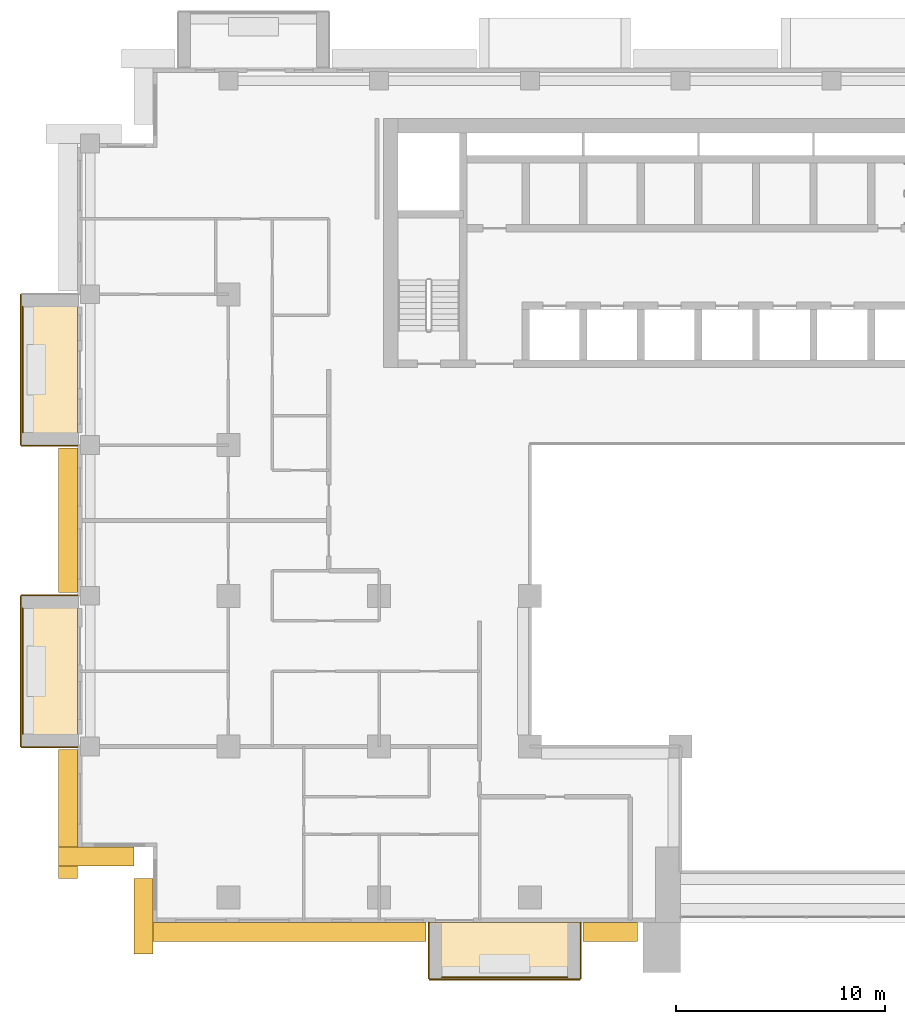
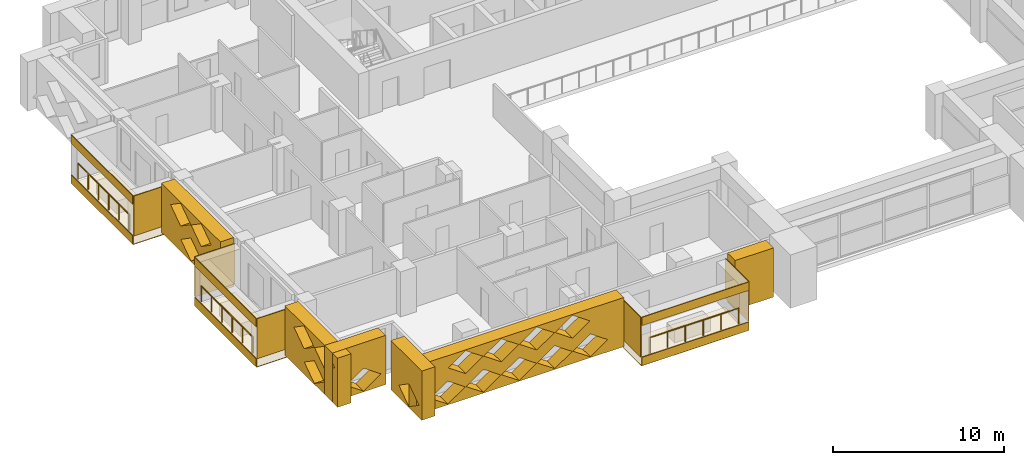
# One storey, part 14 of 20: 20 coverings, 3 railings.
"""IFC4 building model written with IfcOpenShell, lengths in metres."""

import ifcopenshell
import ifcopenshell.guid

model = None  # the IFC model being written
_history = None  # IfcOwnerHistory: only IFC2X3 demands one
_inside = {}  # id of a spatial element -> (the spatial element, [elements in it])
_under = {}  # id of a project, library or spatial element -> (it, [spatial elements below it])
_declared = {}  # id of a project -> (the project, [libraries it declares])
_typed = {}  # id of a type object -> (the type object, [elements of that type])
_made_of = {}  # id of a material, layer set ... -> (it, [elements and type objects made of it])


def new_model(schema):
    """Start an empty IFC model of exactly this schema.

    Asked for "IFC4X3", IfcOpenShell would pick the latest addendum, in which some entities
    have other attributes; the version numbers below select the first issue.
    IFC2X3 requires an IfcOwnerHistory on every rooted entity: one is made here for all.
    """
    global model, _history
    if schema == "IFC4X3":
        model = ifcopenshell.file(schema_version=(4, 3, 0, 0))
    else:
        model = ifcopenshell.file(schema=schema)
    _inside.clear()
    _under.clear()
    _declared.clear()
    _typed.clear()
    _made_of.clear()
    _history = None
    if model.schema == "IFC2X3":
        org = make("IfcOrganization", Name="unknown")
        user = make(
            "IfcPersonAndOrganization",
            ThePerson=make("IfcPerson", FamilyName="unknown"),
            TheOrganization=org,
        )
        app = make(
            "IfcApplication",
            ApplicationDeveloper=org,
            Version="unknown",
            ApplicationFullName="unknown",
            ApplicationIdentifier="unknown",
        )
        _history = make(
            "IfcOwnerHistory",
            OwningUser=user,
            OwningApplication=app,
            ChangeAction="ADDED",
            CreationDate=0,
        )
    return model


def make(cls, **values):
    """One entity of the class cls with the attributes given. An attribute that is None is left unset."""
    return model.create_entity(
        cls, **{name: value for name, value in values.items() if value is not None}
    )


def rooted(cls, **values):
    """An entity with a GlobalId (a new one), such as an element, a storey or a relation."""
    return make(cls, GlobalId=ifcopenshell.guid.new(), OwnerHistory=_history, **values)


def si_unit(unit_type, name, prefix=None):
    """IfcSIUnit, for example si_unit("LENGTHUNIT", "METRE", prefix="MILLI")."""
    return make("IfcSIUnit", UnitType=unit_type, Prefix=prefix, Name=name)


def assignment(units):
    """IfcUnitAssignment: the units of a project."""
    return None if units is None else make("IfcUnitAssignment", Units=units)


def point(xyz):
    """IfcCartesianPoint."""
    return None if xyz is None else make("IfcCartesianPoint", Coordinates=xyz)


def direction(xyz):
    """IfcDirection."""
    return None if xyz is None else make("IfcDirection", DirectionRatios=xyz)


def frame(location, z_axis=None, x_axis=None):
    """IfcAxis2Placement3D, a coordinate frame: its origin and axes. An axis left out is left unset."""
    return make(
        "IfcAxis2Placement3D",
        Location=point(location),
        Axis=direction(z_axis),
        RefDirection=direction(x_axis),
    )


def frame_2d(location, x_axis=None):
    """IfcAxis2Placement2D, a coordinate frame in the plane: its origin and x axis."""
    return make(
        "IfcAxis2Placement2D", Location=point(location), RefDirection=direction(x_axis)
    )


def origin():
    """The frame at (0, 0, 0) with its axes left unset."""
    return frame((0.0, 0.0, 0.0))


def origin_2d():
    """The frame at (0, 0) in the plane with its x axis left unset."""
    return frame_2d((0.0, 0.0))


def place(relative_to, where):
    """IfcLocalPlacement: puts the frame where relative to a parent placement (None: the world)."""
    return make(
        "IfcLocalPlacement", PlacementRelTo=relative_to, RelativePlacement=where
    )


def context(
    kind, dimensions, precision=None, world=None, true_north=None, identifier=None
):
    """IfcGeometricRepresentationContext, for example the 3D "Model" context."""
    return make(
        "IfcGeometricRepresentationContext",
        ContextIdentifier=identifier,
        ContextType=kind,
        CoordinateSpaceDimension=dimensions,
        Precision=precision,
        WorldCoordinateSystem=world,
        TrueNorth=true_north,
    )


def subcontext(parent, identifier, kind, view, scale=None):
    """IfcGeometricRepresentationSubContext, for example "Body" below "Model"."""
    return make(
        "IfcGeometricRepresentationSubContext",
        ContextIdentifier=identifier,
        ContextType=kind,
        ParentContext=parent,
        TargetScale=scale,
        TargetView=view,
    )


def project(units=None, contexts=None):
    """IfcProject with its units and contexts."""
    return rooted(
        "IfcProject",
        Name="project",
        RepresentationContexts=contexts,
        UnitsInContext=assignment(units),
    )


def spatial(cls, under=None, at=None, **own):
    """A site, building, storey or space (cls), placed at a placement, below another one or the project."""
    s = rooted(cls, ObjectPlacement=at, **own)
    if under is not None:
        _under.setdefault(under.id(), (under, []))[1].append(s)
    return s


def polyline(points):
    """IfcPolyline through the points."""
    return make("IfcPolyline", Points=[point(p) for p in points])


def profile(cls, at=None, kind="AREA", **sizes):
    """A parametric profile (cls). Its sizes go by their IFC names, for example OverallWidth=200.0."""
    return make(cls, ProfileType=kind, Position=at, **sizes)


def circle(**sizes):
    """IfcCircleProfileDef."""
    return profile("IfcCircleProfileDef", **sizes)


def outline(outer, holes=None, kind="AREA"):
    """IfcArbitraryClosedProfileDef: a profile drawn as a closed curve; with holes, ...WithVoids."""
    if holes is None:
        return make("IfcArbitraryClosedProfileDef", ProfileType=kind, OuterCurve=outer)
    return make(
        "IfcArbitraryProfileDefWithVoids",
        ProfileType=kind,
        OuterCurve=outer,
        InnerCurves=holes,
    )


def extrude(swept, where, along, depth):
    """IfcExtrudedAreaSolid: the profile swept, set in the frame where, extruded along a direction by depth."""
    return make(
        "IfcExtrudedAreaSolid",
        SweptArea=swept,
        Position=where,
        ExtrudedDirection=direction(along),
        Depth=depth,
    )


def shape(context_of_items, identifier, shape_type, items):
    """IfcShapeRepresentation: the items that make up one representation, for example the "Body"."""
    return make(
        "IfcShapeRepresentation",
        ContextOfItems=context_of_items,
        RepresentationIdentifier=identifier,
        RepresentationType=shape_type,
        Items=items,
    )


def material(Name=None, Category=None):
    """IfcMaterial."""
    return make("IfcMaterial", Name=Name, Category=Category)


def layer(
    of_material, thickness, ventilated=None, Name=None, Category=None, Priority=None
):
    """IfcMaterialLayer: one layer of a wall or slab, of a material (None: an air gap)."""
    return make(
        "IfcMaterialLayer",
        Material=of_material,
        LayerThickness=thickness,
        IsVentilated=ventilated,
        Name=Name,
        Category=Category,
        Priority=Priority,
    )


def layer_set(layers, Name=None):
    """IfcMaterialLayerSet."""
    return make("IfcMaterialLayerSet", MaterialLayers=layers, LayerSetName=Name)


def made_of(thing, what):
    """Note that an element or type object is made of a material, layer set ...; save() writes the relation."""
    if what is not None:
        _made_of.setdefault(what.id(), (what, []))[1].append(thing)
    return thing


def type_object(cls, material=None, **own):
    """A type object (cls), such as IfcWallType, which elements share."""
    return made_of(rooted(cls, **own), material)


def element(
    cls,
    number,
    at=None,
    inside=None,
    cuts=None,
    type_object=None,
    material=None,
    context=None,
    identifier="Body",
    shape_type=None,
    held_by="IfcProductDefinitionShape",
    body=None,
    shapes=None,
    **own,
):
    """One element of the class cls, such as IfcWall. Its Tag is "e" and its number.

    at: its placement. inside: the storey or other place that contains it. cuts: it is an
    opening in that element (IfcRelVoidsElement). A single representation is given by context,
    identifier, shape_type and body (its items); several are given by shapes. held_by: the class
    of the entity that holds the representations. save() writes the other relations.
    """
    e = rooted(cls, Tag="e%d" % number, ObjectPlacement=at, **own)
    if body is not None:
        shapes = [shape(context, identifier, shape_type, body)]
    if shapes is not None:
        e.Representation = make(held_by, Representations=shapes)
    if inside is not None:
        _inside.setdefault(inside.id(), (inside, []))[1].append(e)
    if cuts is not None:
        rooted(
            "IfcRelVoidsElement", RelatingBuildingElement=cuts, RelatedOpeningElement=e
        )
    if type_object is not None:
        _typed.setdefault(type_object.id(), (type_object, []))[1].append(e)
    return made_of(e, material)


def aggregate(whole, parts):
    """IfcRelAggregates: a whole, such as a stair, and the parts it consists of."""
    return rooted("IfcRelAggregates", RelatingObject=whole, RelatedObjects=parts)


def save(model, path):
    """Write the relations noted so far, then the file.

    IfcRelAggregates (storeys below a building ...), IfcRelContainedInSpatialStructure (elements
    in a storey), IfcRelDefinesByType, IfcRelAssociatesMaterial and IfcRelDeclares: one each for
    every whole, place, type object, material and project.
    """
    for whole, parts in _under.values():
        aggregate(whole, parts)
    for where, things in _inside.values():
        rooted(
            "IfcRelContainedInSpatialStructure",
            RelatedElements=things,
            RelatingStructure=where,
        )
    for kind, things in _typed.values():
        rooted("IfcRelDefinesByType", RelatedObjects=things, RelatingType=kind)
    for what, things in _made_of.values():
        rooted("IfcRelAssociatesMaterial", RelatedObjects=things, RelatingMaterial=what)
    for by, libraries in _declared.values():
        rooted("IfcRelDeclares", RelatingContext=by, RelatedDefinitions=libraries)
    model.write(path)


model = new_model("IFC4")

# Units and contexts
model_context = context("Model", 3, precision=1e-05, world=origin(), true_north=direction((0.0, 1.0)))
body_context = subcontext(model_context, "Body", "Model", "MODEL_VIEW")
ifc_project = project(units=[si_unit("LENGTHUNIT", "METRE"), si_unit("AREAUNIT", "SQUARE_METRE"), si_unit("VOLUMEUNIT", "CUBIC_METRE"), si_unit("PLANEANGLEUNIT", "RADIAN"), si_unit("MASSUNIT", "GRAM", prefix="KILO")], contexts=[model_context])

# Site, building, storey
site_placement = place(None, origin())
site = spatial("IfcSite", under=ifc_project, at=site_placement, CompositionType="ELEMENT")
building_placement = place(site_placement, origin())
building = spatial("IfcBuilding", under=site, at=building_placement, Name="Saffron Iwan Residences", CompositionType="ELEMENT")
storey_placement = place(building_placement, frame((0.0, 0.0, 130.5)))
storey = spatial("IfcBuildingStorey", under=building, at=storey_placement, Name="L34", CompositionType="ELEMENT", Elevation=130.5)

# Railings
ifc_material_1 = material(Name="Stainless steel 316", Category="steel")
railing_type = type_object("IfcRailingType", Name="BALCONY GUARD 1150", PredefinedType="GUARDRAIL", material=ifc_material_1)
for number, where, name in (
    (1, (11.77490234375, 69.0, 0.0), "Balcony guard L34 F8-0"),
    (2, (11.77490234375, 54.60009765625, 0.0), "Balcony guard L34 F8-1"),
):
    element("IfcRailing", number, at=place(storey_placement, frame(where)), inside=storey, type_object=railing_type, Name=name, PredefinedType="GUARDRAIL", context=body_context, shape_type="SweptSolid", body=[
        extrude(circle(Radius=0.02392578125, at=origin_2d()), frame((0.0, 0.0, 1.1259765625), z_axis=(0.0, -1.0, 0.0), x_axis=(1.0, 0.0, 0.0)), (0.0, 0.0, 1.0), 6.0),
        extrude(circle(Radius=0.02099609375, at=origin_2d()), origin(), (0.0, 0.0, 1.0), 1.101806640625),
        extrude(circle(Radius=0.02099609375, at=origin_2d()), frame((0.0, -1.199951171875, 0.0)), (0.0, 0.0, 1.0), 1.101806640625),
        extrude(circle(Radius=0.02099609375, at=origin_2d()), frame((0.0, -2.39990234375, 0.0)), (0.0, 0.0, 1.0), 1.101806640625),
        extrude(circle(Radius=0.02099609375, at=origin_2d()), frame((0.0, -3.60009765625, 0.0)), (0.0, 0.0, 1.0), 1.101806640625),
        extrude(circle(Radius=0.02099609375, at=origin_2d()), frame((0.0, -4.800048828125, 0.0)), (0.0, 0.0, 1.0), 1.101806640625),
        extrude(circle(Radius=0.02099609375, at=origin_2d()), frame((0.0, -6.0, 0.0)), (0.0, 0.0, 1.0), 1.101806640625),
    ])
railing_placement = place(storey_placement, frame((31.800048828125, 36.97509765625, 0.0)))
element("IfcRailing", 3, at=railing_placement, inside=storey, type_object=railing_type, Name="Balcony guard L34 11-0", PredefinedType="GUARDRAIL", context=body_context, shape_type="SweptSolid", body=[
    extrude(circle(Radius=0.02392578125, at=origin_2d()), frame((0.0, 0.0, 1.1259765625), z_axis=(1.0, 0.0, 0.0), x_axis=(0.0, 1.0, 0.0)), (0.0, 0.0, 1.0), 6.0),
    extrude(circle(Radius=0.02099609375, at=origin_2d()), origin(), (0.0, 0.0, 1.0), 1.101806640625),
    extrude(circle(Radius=0.02099609375, at=origin_2d()), frame((1.199951171875, 0.0, 0.0)), (0.0, 0.0, 1.0), 1.101806640625),
    extrude(circle(Radius=0.02099609375, at=origin_2d()), frame((2.39990234375, 0.0, 0.0)), (0.0, 0.0, 1.0), 1.101806640625),
    extrude(circle(Radius=0.02099609375, at=origin_2d()), frame((3.60009765625, 0.0, 0.0)), (0.0, 0.0, 1.0), 1.101806640625),
    extrude(circle(Radius=0.02099609375, at=origin_2d()), frame((4.800048828125, 0.0, 0.0)), (0.0, 0.0, 1.0), 1.101806640625),
    extrude(circle(Radius=0.02099609375, at=origin_2d()), frame((6.0, 0.0, 0.0)), (0.0, 0.0, 1.0), 1.101806640625),
])

# Coverings
ifc_material_2 = material(Name="Precast concrete C40/50 white painted", Category="concrete")
ifc_layer = layer(ifc_material_2, 0.050048828125)
ifc_layer_set = layer_set([ifc_layer], Name="Precast concrete C40/50 white painted")
covering_type_1 = type_object("IfcCoveringType", Name="FRAME SKIN PRECAST WHITE 50", PredefinedType="CLADDING", material=ifc_layer_set)
for number, where, name in (
    (4, (0.0, 0.0, -0.60009765625), "Frame skin slab edge L34 F8-0"),
    (5, (0.0, 0.0, 2.25), "Frame skin fascia L34 F8-0"),
):
    element("IfcCovering", number, at=place(storey_placement, frame(where)), inside=storey, type_object=covering_type_1, Name=name, PredefinedType="CLADDING", context=body_context, shape_type="SweptSolid", body=[
        extrude(outline(polyline([(11.64990234375, 69.60009765625), (11.64990234375, 62.39990234375), (11.699951171875, 62.39990234375), (11.699951171875, 69.60009765625), (11.64990234375, 69.60009765625)])), origin(), (0.0, 0.0, 1.0), 0.60009765625),
    ])
covering_1_placement = place(storey_placement, frame((0.0, 0.0, -0.64990234375)))
element("IfcCovering", 6, at=covering_1_placement, inside=storey, type_object=covering_type_1, Name="Frame skin soffit L34 F8-0", PredefinedType="CLADDING", context=body_context, shape_type="SweptSolid", body=[
    extrude(outline(polyline([(11.699951171875, 69.60009765625), (11.699951171875, 62.39990234375), (14.39990234375, 62.39990234375), (14.39990234375, 69.60009765625), (11.699951171875, 69.60009765625)])), origin(), (0.0, 0.0, 1.0), 0.0498046875),
])
covering_2_placement = place(storey_placement, origin())
element("IfcCovering", 7, at=covering_2_placement, inside=storey, type_object=covering_type_1, Name="Frame skin fin L34 F8-0b", PredefinedType="CLADDING", context=body_context, shape_type="SweptSolid", body=[
    extrude(outline(polyline([(11.699951171875, 62.39990234375), (11.699951171875, 62.35009765625), (14.39990234375, 62.35009765625), (14.39990234375, 62.39990234375), (11.699951171875, 62.39990234375)])), origin(), (0.0, 0.0, 1.0), 2.85009765625),
])
for number, where, name in (
    (8, (0.0, 0.0, -0.60009765625), "Frame skin slab edge L34 F8-1"),
    (9, (0.0, 0.0, 2.25), "Frame skin fascia L34 F8-1"),
):
    element("IfcCovering", number, at=place(storey_placement, frame(where)), inside=storey, type_object=covering_type_1, Name=name, PredefinedType="CLADDING", context=body_context, shape_type="SweptSolid", body=[
        extrude(outline(polyline([(11.64990234375, 55.199951171875), (11.64990234375, 48.0), (11.699951171875, 48.0), (11.699951171875, 55.199951171875), (11.64990234375, 55.199951171875)])), origin(), (0.0, 0.0, 1.0), 0.60009765625),
    ])
covering_3_placement = place(storey_placement, frame((0.0, 0.0, -0.64990234375)))
element("IfcCovering", 10, at=covering_3_placement, inside=storey, type_object=covering_type_1, Name="Frame skin soffit L34 F8-1", PredefinedType="CLADDING", context=body_context, shape_type="SweptSolid", body=[
    extrude(outline(polyline([(11.699951171875, 55.199951171875), (11.699951171875, 48.0), (14.39990234375, 48.0), (14.39990234375, 55.199951171875), (11.699951171875, 55.199951171875)])), origin(), (0.0, 0.0, 1.0), 0.0498046875),
])
covering_4_placement = place(storey_placement, origin())
element("IfcCovering", 11, at=covering_4_placement, inside=storey, type_object=covering_type_1, Name="Frame skin fin L34 F8-1a", PredefinedType="CLADDING", context=body_context, shape_type="SweptSolid", body=[
    extrude(outline(polyline([(11.699951171875, 55.25), (11.699951171875, 55.199951171875), (14.39990234375, 55.199951171875), (14.39990234375, 55.25), (11.699951171875, 55.25)])), origin(), (0.0, 0.0, 1.0), 2.85009765625),
])
covering_5_placement = place(storey_placement, origin())
element("IfcCovering", 12, at=covering_5_placement, inside=storey, type_object=covering_type_1, Name="Frame skin fin L34 F8-1b", PredefinedType="CLADDING", context=body_context, shape_type="SweptSolid", body=[
    extrude(outline(polyline([(11.699951171875, 48.0), (11.699951171875, 47.949951171875), (14.39990234375, 47.949951171875), (14.39990234375, 48.0), (11.699951171875, 48.0)])), origin(), (0.0, 0.0, 1.0), 2.85009765625),
])
for number, where, name in (
    (13, (0.0, 0.0, -0.60009765625), "Frame skin slab edge L34 11-0"),
    (14, (0.0, 0.0, 2.25), "Frame skin fascia L34 11-0"),
):
    element("IfcCovering", number, at=place(storey_placement, frame(where)), inside=storey, type_object=covering_type_1, Name=name, PredefinedType="CLADDING", context=body_context, shape_type="SweptSolid", body=[
        extrude(outline(polyline([(31.199951171875, 36.85009765625), (38.39990234375, 36.85009765625), (38.39990234375, 36.89990234375), (31.199951171875, 36.89990234375), (31.199951171875, 36.85009765625)])), origin(), (0.0, 0.0, 1.0), 0.60009765625),
    ])
covering_6_placement = place(storey_placement, frame((0.0, 0.0, -0.64990234375)))
element("IfcCovering", 15, at=covering_6_placement, inside=storey, type_object=covering_type_1, Name="Frame skin soffit L34 11-0", PredefinedType="CLADDING", context=body_context, shape_type="SweptSolid", body=[
    extrude(outline(polyline([(31.199951171875, 36.89990234375), (38.39990234375, 36.89990234375), (38.39990234375, 39.60009765625), (31.199951171875, 39.60009765625), (31.199951171875, 36.89990234375)])), origin(), (0.0, 0.0, 1.0), 0.0498046875),
])
covering_7_placement = place(storey_placement, origin())
element("IfcCovering", 16, at=covering_7_placement, inside=storey, type_object=covering_type_1, Name="Frame skin fin L34 11-0a", PredefinedType="CLADDING", context=body_context, shape_type="SweptSolid", body=[
    extrude(outline(polyline([(31.14990234375, 36.89990234375), (31.199951171875, 36.89990234375), (31.199951171875, 39.60009765625), (31.14990234375, 39.60009765625), (31.14990234375, 36.89990234375)])), origin(), (0.0, 0.0, 1.0), 2.85009765625),
])
covering_8_placement = place(storey_placement, origin())
element("IfcCovering", 17, at=covering_8_placement, inside=storey, type_object=covering_type_1, Name="Frame skin fin L34 11-0b", PredefinedType="CLADDING", context=body_context, shape_type="SweptSolid", body=[
    extrude(outline(polyline([(38.39990234375, 36.89990234375), (38.449951171875, 36.89990234375), (38.449951171875, 39.60009765625), (38.39990234375, 39.60009765625), (38.39990234375, 36.89990234375)])), origin(), (0.0, 0.0, 1.0), 2.85009765625),
])
ifc_material_3 = material(Name="Precast concrete C40/50", Category="concrete")
covering_type_2 = type_object("IfcCoveringType", Name="OUTER SKIN LATTICE SCREEN", PredefinedType="CLADDING", material=ifc_material_3)
covering_9_placement = place(storey_placement, frame((14.39990234375, 62.25, -0.300048828125), z_axis=(-1.0, 0.0, 0.0), x_axis=(0.0, -1.0, 0.0)))
element("IfcCovering", 18, at=covering_9_placement, inside=storey, type_object=covering_type_2, Name="OUTER SKIN lattice screen L34 F8.1", PredefinedType="CLADDING", context=body_context, shape_type="SweptSolid", body=[
    extrude(outline(polyline([(0.0, 0.0), (6.89990234375, 0.0), (6.89990234375, 3.5), (0.0, 3.5), (0.0, 0.0)]), holes=[polyline([(2.27001953125, 0.875), (3.449951171875, 0.06005859375), (4.6298828125, 0.875), (3.449951171875, 1.68994140625), (2.27001953125, 0.875)]), polyline([(1.070068359375, 2.625), (2.25, 1.81005859375), (3.429931640625, 2.625), (2.25, 3.43994140625), (1.070068359375, 2.625)]), polyline([(3.469970703125, 2.625), (4.64990234375, 1.81005859375), (5.830078125, 2.625), (4.64990234375, 3.43994140625), (3.469970703125, 2.625)])]), origin(), (0.0, 0.0, 1.0), 0.89990234375),
])
covering_10_placement = place(storey_placement, frame((14.39990234375, 47.85009765625, -0.300048828125), z_axis=(-1.0, 0.0, 0.0), x_axis=(0.0, -1.0, 0.0)))
element("IfcCovering", 19, at=covering_10_placement, inside=storey, type_object=covering_type_2, Name="OUTER SKIN lattice screen L34 F8.2", PredefinedType="CLADDING", context=body_context, shape_type="SweptSolid", body=[
    extrude(outline(polyline([(0.0, 0.0), (6.14990234375, 0.0), (6.14990234375, 3.5), (0.0, 3.5), (0.0, 0.0)]), holes=[polyline([(2.27001953125, 0.875), (3.449951171875, 0.06005859375), (4.6298828125, 0.875), (3.449951171875, 1.68994140625), (2.27001953125, 0.875)]), polyline([(1.070068359375, 2.625), (2.25, 1.81005859375), (3.429931640625, 2.625), (2.25, 3.43994140625), (1.070068359375, 2.625)]), polyline([(3.469970703125, 2.625), (4.64990234375, 1.81005859375), (5.830078125, 2.625), (4.64990234375, 3.43994140625), (3.469970703125, 2.625)])]), origin(), (0.0, 0.0, 1.0), 0.89990234375),
])
for number, where, z_axis, x_axis, name in (
    (20, (13.5, 43.199951171875, -0.300048828125), (0.0, -1.0, 0.0), (1.0, 0.0, 0.0), "OUTER SKIN lattice screen L34 F9.0"),
    (21, (18.0, 41.699951171875, -0.300048828125), (-1.0, 0.0, 0.0), (0.0, -1.0, 0.0), "OUTER SKIN lattice screen L34 F10.0"),
):
    element("IfcCovering", number, at=place(storey_placement, frame(where, z_axis=z_axis, x_axis=x_axis)), inside=storey, type_object=covering_type_2, Name=name, PredefinedType="CLADDING", context=body_context, shape_type="SweptSolid", body=[
        extrude(outline(polyline([(0.0, 0.0), (3.60009765625, 0.0), (3.60009765625, 3.5), (0.0, 3.5), (0.0, 0.0)]), holes=[polyline([(0.919921875, 0.875), (2.10009765625, 0.06005859375), (3.280029296875, 0.875), (2.10009765625, 1.68994140625), (0.919921875, 0.875)])]), origin(), (0.0, 0.0, 1.0), 0.89990234375),
    ])
covering_11_placement = place(storey_placement, frame((17.10009765625, 39.60009765625, -0.300048828125), z_axis=(0.0, -1.0, 0.0), x_axis=(1.0, 0.0, 0.0)))
element("IfcCovering", 22, at=covering_11_placement, inside=storey, type_object=covering_type_2, Name="OUTER SKIN lattice screen L34 F11.0", PredefinedType="CLADDING", context=body_context, shape_type="SweptSolid", body=[
    extrude(outline(polyline([(0.0, 0.0), (13.949951171875, 0.0), (13.949951171875, 3.5), (0.0, 3.5), (0.0, 0.0)]), holes=[polyline([(0.919921875, 0.875), (2.10009765625, 0.06005859375), (3.280029296875, 0.875), (2.10009765625, 1.68994140625), (0.919921875, 0.875)]), polyline([(3.320068359375, 0.875), (4.5, 0.06005859375), (5.679931640625, 0.875), (4.5, 1.68994140625), (3.320068359375, 0.875)]), polyline([(5.719970703125, 0.875), (6.89990234375, 0.06005859375), (8.080078125, 0.875), (6.89990234375, 1.68994140625), (5.719970703125, 0.875)]), polyline([(8.1201171875, 0.875), (9.300048828125, 0.06005859375), (10.47998046875, 0.875), (9.300048828125, 1.68994140625), (8.1201171875, 0.875)]), polyline([(10.52001953125, 0.875), (11.699951171875, 0.06005859375), (12.8798828125, 0.875), (11.699951171875, 1.68994140625), (10.52001953125, 0.875)]), polyline([(2.1201171875, 2.625), (3.300048828125, 1.81005859375), (4.47998046875, 2.625), (3.300048828125, 3.43994140625), (2.1201171875, 2.625)]), polyline([(4.52001953125, 2.625), (5.699951171875, 1.81005859375), (6.8798828125, 2.625), (5.699951171875, 3.43994140625), (4.52001953125, 2.625)]), polyline([(6.919921875, 2.625), (8.10009765625, 1.81005859375), (9.280029296875, 2.625), (8.10009765625, 3.43994140625), (6.919921875, 2.625)]), polyline([(9.320068359375, 2.625), (10.5, 1.81005859375), (11.679931640625, 2.625), (10.5, 3.43994140625), (9.320068359375, 2.625)])]), origin(), (0.0, 0.0, 1.0), 0.900146484375),
])
covering_12_placement = place(storey_placement, frame((38.550048828125, 39.60009765625, -0.300048828125), z_axis=(0.0, -1.0, 0.0), x_axis=(1.0, 0.0, 0.0)))
element("IfcCovering", 23, at=covering_12_placement, inside=storey, type_object=covering_type_2, Name="OUTER SKIN lattice screen L34 F11.1", PredefinedType="CLADDING", context=body_context, shape_type="SweptSolid", body=[
    extrude(outline(polyline([(0.0, 0.0), (2.60009765625, 0.0), (2.60009765625, 3.5), (0.0, 3.5), (0.0, 0.0)])), origin(), (0.0, 0.0, 1.0), 0.900146484375),
])

save(model, "model.ifc")
